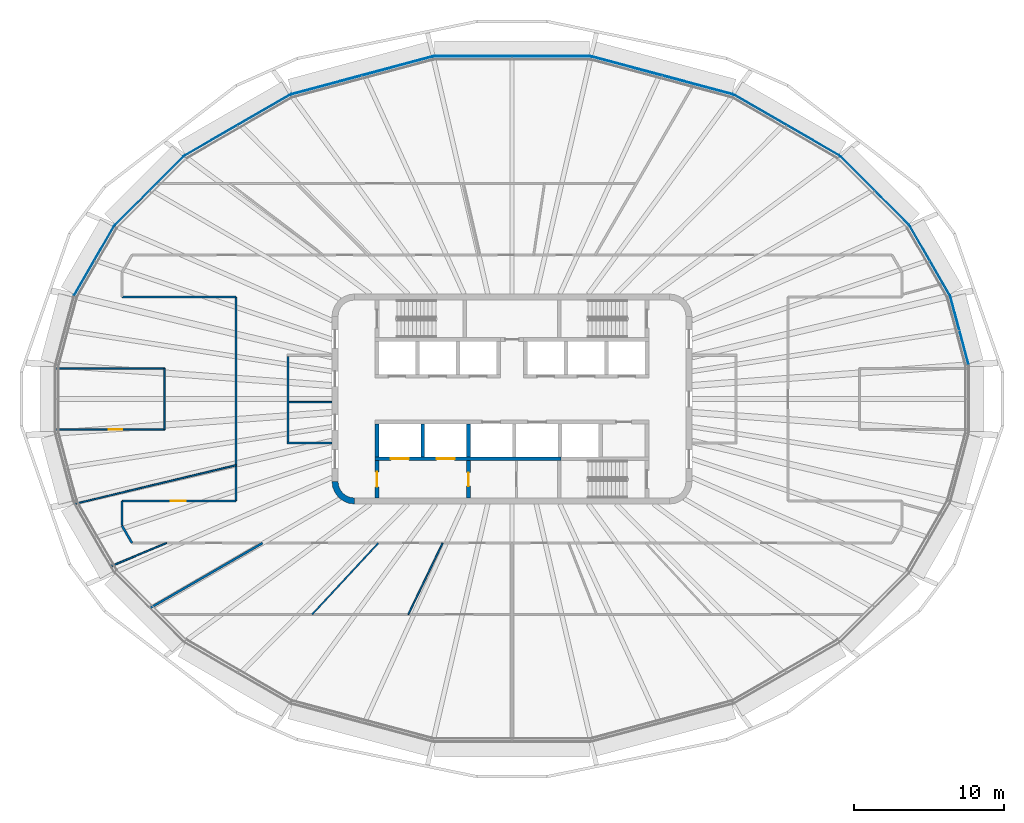
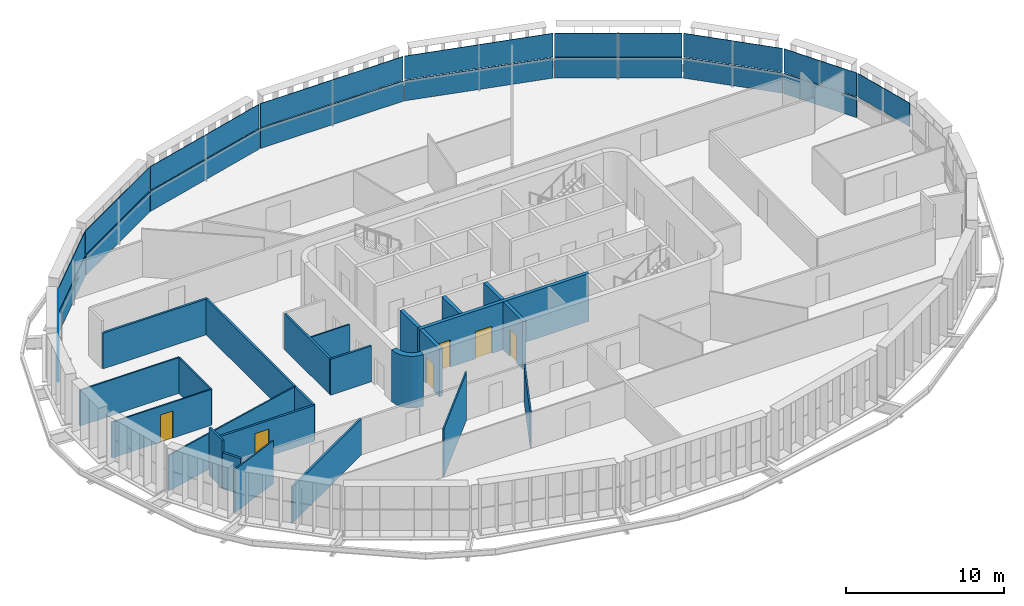
# One storey, part 10 of 20: 23 walls, 19 plates, 6 doors, 6 openings, 10 elements without a shape of their own.
"""IFC4 building model written with IfcOpenShell, lengths in metres."""

from ifc_helpers import new_model, si_unit, direction, frame, frame_2d, origin, place, context, subcontext, project, spatial, polyline, rectangle, outline, extrude, material, layer, layer_set, type_object, element, fill, aggregate, save


model = new_model("IFC4")

# Units and contexts
model_context = context("Model", 3, precision=1e-05, world=origin(), true_north=direction((0.0, 1.0)))
body_context = subcontext(model_context, "Body", "Model", "MODEL_VIEW")
ifc_project = project(units=[si_unit("LENGTHUNIT", "METRE"), si_unit("AREAUNIT", "SQUARE_METRE"), si_unit("VOLUMEUNIT", "CUBIC_METRE"), si_unit("PLANEANGLEUNIT", "RADIAN"), si_unit("MASSUNIT", "GRAM", prefix="KILO")], contexts=[model_context])

# Site, building, storey
site_placement = place(None, origin())
site = spatial("IfcSite", under=ifc_project, at=site_placement, CompositionType="ELEMENT")
building_placement = place(site_placement, origin())
building = spatial("IfcBuilding", under=site, at=building_placement, Name="Sahrelin Media Tower", CompositionType="ELEMENT")
storey_placement = place(building_placement, frame((0.0, 0.0, 245.60009765625)))
storey = spatial("IfcBuildingStorey", under=building, at=storey_placement, Name="L53", CompositionType="ELEMENT", Elevation=245.60009765625)

# Curtain wall, plate
ifc_material_1 = material(Name="Champagne anodised aluminium 6063-T6", Category="aluminium")
ifc_layer_1 = layer(ifc_material_1, 0.14990234375)
ifc_layer_set_1 = layer_set([ifc_layer_1], Name="Tower ribbon curtain wall")
curtain_wall_type = type_object("IfcCurtainWallType", Name="Tower ribbon curtain wall", PredefinedType="NOTDEFINED", material=ifc_layer_set_1)
curtain_wall_1_placement = place(storey_placement, frame((29.834228515625, 4.572265625, 0.0), z_axis=(0.0, 0.0, 1.0), x_axis=(1.0, 0.0, 0.0)))
curtain_wall_1 = element("IfcCurtainWall", 1, at=curtain_wall_1_placement, inside=storey, type_object=curtain_wall_type, Name="L53:CW:L53-01", PredefinedType="NOTDEFINED")
ifc_material_2 = material(Name="Clear low-iron glazing", Category="glass")
ifc_layer_2 = layer(ifc_material_2, 0.0439453125)
ifc_layer_set_2 = layer_set([ifc_layer_2], Name="Glazing panel 44 mm CW1B")
plate_type_1 = type_object("IfcPlateType", Name="Glazing panel 44 mm CW1B", PredefinedType="CURTAIN_PANEL", material=ifc_layer_set_2)
plate_1_placement = place(storey_placement, frame((30.456298828125, 2.327880859375, 1.6298828125), z_axis=(0.965935885882, 0.258781499273, 0.0), x_axis=(-0.258781499273, 0.965935885882, 0.0)))
plate_1 = element("IfcPlate", 2, at=plate_1_placement, type_object=plate_type_1, Name="L53:CWP2:L53-01", PredefinedType="CURTAIN_PANEL", context=body_context, shape_type="SweptSolid", body=[
    extrude(outline(polyline([(0.0, 0.0), (4.65771484375, 0.0), (4.65771484375, 1.818603515625), (0.0, 1.818603515625), (0.0, 0.0)])), origin(), (0.0, 0.0, -1.0), 0.0439453125),
])
aggregate(curtain_wall_1, [plate_1])

curtain_wall_2_placement = place(storey_placement, frame((27.865234375, 9.214111328125, 0.0), z_axis=(0.0, 0.0, 1.0), x_axis=(1.0, 0.0, 0.0)))
curtain_wall_2 = element("IfcCurtainWall", 3, at=curtain_wall_2_placement, inside=storey, type_object=curtain_wall_type, Name="L53:CW:L53-02", PredefinedType="NOTDEFINED")
plate_2_placement = place(storey_placement, frame((29.2109375, 6.923095703125, 1.6298828125), z_axis=(0.866034858292, 0.499983623955, 0.0), x_axis=(-0.499983623955, 0.866034858292, 0.0)))
plate_2 = element("IfcPlate", 4, at=plate_2_placement, type_object=plate_type_1, Name="L53:CWP2:L53-02", PredefinedType="CURTAIN_PANEL", context=body_context, shape_type="SweptSolid", body=[
    extrude(outline(polyline([(0.0, 0.0), (5.313720703125, 0.0), (5.313720703125, 1.818603515625), (0.0, 1.818603515625), (0.0, 0.0)])), origin(), (0.0, 0.0, -1.0), 0.0439453125),
])

curtain_wall_3_placement = place(storey_placement, frame((24.1865234375, 13.88330078125, 0.0), z_axis=(0.0, 0.0, 1.0), x_axis=(1.0, 0.0, 0.0)))
curtain_wall_3 = element("IfcCurtainWall", 5, at=curtain_wall_3_placement, inside=storey, type_object=curtain_wall_type, Name="L53:CW:L53-03", PredefinedType="NOTDEFINED")
plate_3_placement = place(storey_placement, frame((26.49072265625, 11.607666015625, 1.6298828125), z_axis=(0.707087934304, 0.707125627567, 0.0), x_axis=(-0.707125627567, 0.707087934304, 0.0)))
plate_3 = element("IfcPlate", 6, at=plate_3_placement, type_object=plate_type_1, Name="L53:CWP2:L53-03", PredefinedType="CURTAIN_PANEL", context=body_context, shape_type="SweptSolid", body=[
    extrude(outline(polyline([(0.0, 0.0), (6.47705078125, 0.0), (6.47705078125, 1.818603515625), (0.0, 1.818603515625), (0.0, 0.0)])), origin(), (0.0, 0.0, -1.0), 0.0439453125),
])

curtain_wall_4_placement = place(storey_placement, frame((18.3115234375, 18.25830078125, 0.0), z_axis=(0.0, 0.0, 1.0), x_axis=(1.0, 0.0, 0.0)))
curtain_wall_4 = element("IfcCurtainWall", 7, at=curtain_wall_4_placement, inside=storey, type_object=curtain_wall_type, Name="L53:CW:L53-04", PredefinedType="NOTDEFINED")
plate_4_placement = place(storey_placement, frame((21.827880859375, 16.251220703125, 1.6298828125), z_axis=(0.499981703231, 0.866035967171, 0.0), x_axis=(-0.866035967171, 0.499981703231, 0.0)))
plate_4 = element("IfcPlate", 8, at=plate_4_placement, type_object=plate_type_1, Name="L53:CWP2:L53-04", PredefinedType="CURTAIN_PANEL", context=body_context, shape_type="SweptSolid", body=[
    extrude(outline(polyline([(0.0, 0.0), (8.097412109375, 0.0), (8.097412109375, 1.818603515625), (0.0, 1.818603515625), (0.0, 0.0)])), origin(), (0.0, 0.0, -1.0), 0.0439453125),
])

curtain_wall_5_placement = place(storey_placement, frame((10.017578125, 21.57861328125, 0.0), z_axis=(0.0, 0.0, 1.0), x_axis=(1.0, 0.0, 0.0)))
curtain_wall_5 = element("IfcCurtainWall", 9, at=curtain_wall_5_placement, inside=storey, type_object=curtain_wall_type, Name="L53:CW:L53-05", PredefinedType="NOTDEFINED")
plate_5_placement = place(storey_placement, frame((14.718994140625, 20.33984375, 1.6298828125), z_axis=(0.25881891783, 0.965925860392, 0.0), x_axis=(-0.965925860392, 0.25881891783, 0.0)))
plate_5 = element("IfcPlate", 10, at=plate_5_placement, type_object=plate_type_1, Name="L53:CWP2:L53-05", PredefinedType="CURTAIN_PANEL", context=body_context, shape_type="SweptSolid", body=[
    extrude(outline(polyline([(0.0, 0.0), (9.723388671875, 0.0), (9.723388671875, 1.818603515625), (0.0, 1.818603515625), (0.0, 0.0)])), origin(), (0.0, 0.0, -1.0), 0.0439453125),
])

curtain_wall_6_placement = place(storey_placement, frame((0.0, 22.85009765625, 0.0), z_axis=(0.0, 0.0, 1.0), x_axis=(1.0, 0.0, 0.0)))
curtain_wall_6 = element("IfcCurtainWall", 11, at=curtain_wall_6_placement, inside=storey, type_object=curtain_wall_type, Name="L53:CW:L53-06", PredefinedType="NOTDEFINED")
plate_6_placement = place(storey_placement, frame((5.223388671875, 22.8701171875, 1.6298828125), z_axis=(0.0, 1.0, 0.0), x_axis=(-1.0, 0.0, 0.0)))
plate_6 = element("IfcPlate", 12, at=plate_6_placement, type_object=plate_type_1, Name="L53:CWP2:L53-06", PredefinedType="CURTAIN_PANEL", context=body_context, shape_type="SweptSolid", body=[
    extrude(outline(polyline([(0.0, 0.0), (10.44677734375, 0.0), (10.44677734375, 1.818603515625), (0.0, 1.818603515625), (0.0, 0.0)])), origin(), (0.0, 0.0, -1.0), 0.0439453125),
])

curtain_wall_7_placement = place(storey_placement, frame((-10.017578125, 21.578857421875, 0.0), z_axis=(0.0, 0.0, 1.0), x_axis=(1.0, 0.0, 0.0)))
curtain_wall_7 = element("IfcCurtainWall", 13, at=curtain_wall_7_placement, inside=storey, type_object=curtain_wall_type, Name="L53:CW:L53-07", PredefinedType="NOTDEFINED")
plate_7_placement = place(storey_placement, frame((-5.326904296875, 22.8564453125, 1.6298828125), z_axis=(-0.25881891783, 0.965925860392, 0.0), x_axis=(-0.965925860392, -0.25881891783, 0.0)))
plate_7 = element("IfcPlate", 14, at=plate_7_placement, type_object=plate_type_1, Name="L53:CWP2:L53-07", PredefinedType="CURTAIN_PANEL", context=body_context, shape_type="SweptSolid", body=[
    extrude(outline(polyline([(0.0, 0.0), (9.723388671875, 0.0), (9.723388671875, 1.818603515625), (0.0, 1.818603515625), (0.0, 0.0)])), origin(), (0.0, 0.0, -1.0), 0.0439453125),
])

curtain_wall_8_placement = place(storey_placement, frame((-18.3115234375, 18.258056640625, 0.0), z_axis=(0.0, 0.0, 1.0), x_axis=(1.0, 0.0, 0.0)))
curtain_wall_8 = element("IfcCurtainWall", 15, at=curtain_wall_8_placement, inside=storey, type_object=curtain_wall_type, Name="L53:CW:L53-08", PredefinedType="NOTDEFINED")
plate_8_placement = place(storey_placement, frame((-14.815185546875, 20.2998046875, 1.6298828125), z_axis=(-0.499981703231, 0.866035967171, 0.0), x_axis=(-0.866035967171, -0.499981703231, 0.0)))
plate_8 = element("IfcPlate", 16, at=plate_8_placement, type_object=plate_type_1, Name="L53:CWP2:L53-08", PredefinedType="CURTAIN_PANEL", context=body_context, shape_type="SweptSolid", body=[
    extrude(outline(polyline([(0.0, 0.0), (8.097412109375, 0.0), (8.097412109375, 1.818603515625), (0.0, 1.818603515625), (0.0, 0.0)])), origin(), (0.0, 0.0, -1.0), 0.0439453125),
])

curtain_wall_9_placement = place(storey_placement, frame((-24.1865234375, 13.883544921875, 0.0), z_axis=(0.0, 0.0, 1.0), x_axis=(1.0, 0.0, 0.0)))
curtain_wall_9 = element("IfcCurtainWall", 17, at=curtain_wall_9_placement, inside=storey, type_object=curtain_wall_type, Name="L53:CW:L53-09", PredefinedType="NOTDEFINED")
plate_9_placement = place(storey_placement, frame((-21.91064453125, 16.1875, 1.6298828125), z_axis=(-0.707087934304, 0.707125627567, 0.0), x_axis=(-0.707125627567, -0.707087934304, 0.0)))
plate_9 = element("IfcPlate", 18, at=plate_9_placement, type_object=plate_type_1, Name="L53:CWP2:L53-09", PredefinedType="CURTAIN_PANEL", context=body_context, shape_type="SweptSolid", body=[
    extrude(outline(polyline([(0.0, 0.0), (6.47705078125, 0.0), (6.47705078125, 1.818603515625), (0.0, 1.818603515625), (0.0, 0.0)])), origin(), (0.0, 0.0, -1.0), 0.0439453125),
])

curtain_wall_10_placement = place(storey_placement, frame((-27.865234375, 9.214111328125, 0.0), z_axis=(0.0, 0.0, 1.0), x_axis=(1.0, 0.0, 0.0)))
curtain_wall_10 = element("IfcCurtainWall", 19, at=curtain_wall_10_placement, inside=storey, type_object=curtain_wall_type, Name="L53:CW:L53-10", PredefinedType="NOTDEFINED")
plate_10_placement = place(storey_placement, frame((-26.55419921875, 11.52490234375, 1.6298828125), z_axis=(-0.866034858292, 0.499983623955, 0.0), x_axis=(-0.499983623955, -0.866034858292, 0.0)))
plate_10 = element("IfcPlate", 20, at=plate_10_placement, type_object=plate_type_1, Name="L53:CWP2:L53-10", PredefinedType="CURTAIN_PANEL", context=body_context, shape_type="SweptSolid", body=[
    extrude(outline(polyline([(0.0, 0.0), (5.313720703125, 0.0), (5.313720703125, 1.818603515625), (0.0, 1.818603515625), (0.0, 0.0)])), origin(), (0.0, 0.0, -1.0), 0.0439453125),
])

# Plate
ifc_material_3 = material(Name="Insulated spandrel panel")
ifc_layer_3 = layer(ifc_material_3, 0.06005859375)
ifc_layer_set_3 = layer_set([ifc_layer_3], Name="Spandrel panel 60 mm CW1")
plate_type_2 = type_object("IfcPlateType", Name="Spandrel panel 60 mm CW1", PredefinedType="SHEET", material=ifc_layer_set_3)
plate_11_placement = place(storey_placement, frame((29.2109375, 6.923095703125, 0.0), z_axis=(0.866034858292, 0.499983623955, 0.0), x_axis=(-0.499983623955, 0.866034858292, 0.0)))
plate_11 = element("IfcPlate", 21, at=plate_11_placement, type_object=plate_type_2, Name="L53:CWP1:L53-02", PredefinedType="SHEET", context=body_context, shape_type="SweptSolid", body=[
    extrude(outline(polyline([(0.0, 0.0), (5.313720703125, 0.0), (5.313720703125, 1.56982421875), (0.0, 1.56982421875), (0.0, 0.0)])), origin(), (0.0, 0.0, -1.0), 0.06005859375),
])

aggregate(curtain_wall_2, [plate_11, plate_2])

plate_12_placement = place(storey_placement, frame((26.49072265625, 11.607666015625, 0.0), z_axis=(0.707087934304, 0.707125627567, 0.0), x_axis=(-0.707125627567, 0.707087934304, 0.0)))
plate_12 = element("IfcPlate", 22, at=plate_12_placement, type_object=plate_type_2, Name="L53:CWP1:L53-03", PredefinedType="SHEET", context=body_context, shape_type="SweptSolid", body=[
    extrude(outline(polyline([(0.0, 0.0), (6.47705078125, 0.0), (6.47705078125, 1.56982421875), (0.0, 1.56982421875), (0.0, 0.0)])), origin(), (0.0, 0.0, -1.0), 0.06005859375),
])

aggregate(curtain_wall_3, [plate_12, plate_3])

plate_13_placement = place(storey_placement, frame((21.827880859375, 16.251220703125, 0.0), z_axis=(0.499981703231, 0.866035967171, 0.0), x_axis=(-0.866035967171, 0.499981703231, 0.0)))
plate_13 = element("IfcPlate", 23, at=plate_13_placement, type_object=plate_type_2, Name="L53:CWP1:L53-04", PredefinedType="SHEET", context=body_context, shape_type="SweptSolid", body=[
    extrude(outline(polyline([(0.0, 0.0), (8.097412109375, 0.0), (8.097412109375, 1.56982421875), (0.0, 1.56982421875), (0.0, 0.0)])), origin(), (0.0, 0.0, -1.0), 0.06005859375),
])

aggregate(curtain_wall_4, [plate_13, plate_4])

plate_14_placement = place(storey_placement, frame((14.718994140625, 20.33984375, 0.0), z_axis=(0.25881891783, 0.965925860392, 0.0), x_axis=(-0.965925860392, 0.25881891783, 0.0)))
plate_14 = element("IfcPlate", 24, at=plate_14_placement, type_object=plate_type_2, Name="L53:CWP1:L53-05", PredefinedType="SHEET", context=body_context, shape_type="SweptSolid", body=[
    extrude(outline(polyline([(0.0, 0.0), (9.723388671875, 0.0), (9.723388671875, 1.56982421875), (0.0, 1.56982421875), (0.0, 0.0)])), origin(), (0.0, 0.0, -1.0), 0.06005859375),
])

aggregate(curtain_wall_5, [plate_14, plate_5])

plate_15_placement = place(storey_placement, frame((5.223388671875, 22.8701171875, 0.0), z_axis=(0.0, 1.0, 0.0), x_axis=(-1.0, 0.0, 0.0)))
plate_15 = element("IfcPlate", 25, at=plate_15_placement, type_object=plate_type_2, Name="L53:CWP1:L53-06", PredefinedType="SHEET", context=body_context, shape_type="SweptSolid", body=[
    extrude(outline(polyline([(0.0, 0.0), (10.44677734375, 0.0), (10.44677734375, 1.56982421875), (0.0, 1.56982421875), (0.0, 0.0)])), origin(), (0.0, 0.0, -1.0), 0.06005859375),
])

aggregate(curtain_wall_6, [plate_15, plate_6])

plate_16_placement = place(storey_placement, frame((-5.326904296875, 22.8564453125, 0.0), z_axis=(-0.25881891783, 0.965925860392, 0.0), x_axis=(-0.965925860392, -0.25881891783, 0.0)))
plate_16 = element("IfcPlate", 26, at=plate_16_placement, type_object=plate_type_2, Name="L53:CWP1:L53-07", PredefinedType="SHEET", context=body_context, shape_type="SweptSolid", body=[
    extrude(outline(polyline([(0.0, 0.0), (9.723388671875, 0.0), (9.723388671875, 1.56982421875), (0.0, 1.56982421875), (0.0, 0.0)])), origin(), (0.0, 0.0, -1.0), 0.06005859375),
])

aggregate(curtain_wall_7, [plate_16, plate_7])

plate_17_placement = place(storey_placement, frame((-14.815185546875, 20.2998046875, 0.0), z_axis=(-0.499981703231, 0.866035967171, 0.0), x_axis=(-0.866035967171, -0.499981703231, 0.0)))
plate_17 = element("IfcPlate", 27, at=plate_17_placement, type_object=plate_type_2, Name="L53:CWP1:L53-08", PredefinedType="SHEET", context=body_context, shape_type="SweptSolid", body=[
    extrude(outline(polyline([(0.0, 0.0), (8.097412109375, 0.0), (8.097412109375, 1.56982421875), (0.0, 1.56982421875), (0.0, 0.0)])), origin(), (0.0, 0.0, -1.0), 0.06005859375),
])

aggregate(curtain_wall_8, [plate_17, plate_8])

plate_18_placement = place(storey_placement, frame((-21.91064453125, 16.1875, 0.0), z_axis=(-0.707087934304, 0.707125627567, 0.0), x_axis=(-0.707125627567, -0.707087934304, 0.0)))
plate_18 = element("IfcPlate", 28, at=plate_18_placement, type_object=plate_type_2, Name="L53:CWP1:L53-09", PredefinedType="SHEET", context=body_context, shape_type="SweptSolid", body=[
    extrude(outline(polyline([(0.0, 0.0), (6.47705078125, 0.0), (6.47705078125, 1.56982421875), (0.0, 1.56982421875), (0.0, 0.0)])), origin(), (0.0, 0.0, -1.0), 0.06005859375),
])

aggregate(curtain_wall_9, [plate_18, plate_9])

plate_19_placement = place(storey_placement, frame((-26.55419921875, 11.52490234375, 0.0), z_axis=(-0.866034858292, 0.499983623955, 0.0), x_axis=(-0.499983623955, -0.866034858292, 0.0)))
plate_19 = element("IfcPlate", 29, at=plate_19_placement, type_object=plate_type_2, Name="L53:CWP1:L53-10", PredefinedType="SHEET", context=body_context, shape_type="SweptSolid", body=[
    extrude(outline(polyline([(0.0, 0.0), (5.313720703125, 0.0), (5.313720703125, 1.56982421875), (0.0, 1.56982421875), (0.0, 0.0)])), origin(), (0.0, 0.0, -1.0), 0.06005859375),
])

aggregate(curtain_wall_10, [plate_19, plate_10])

# Walls
ifc_material_4 = material(Name="Concrete C60/75", Category="concrete")
ifc_layer_4 = layer(ifc_material_4, 0.39990234375)
ifc_layer_set_4 = layer_set([ifc_layer_4], Name="Core wall 400")
wall_type_1 = type_object("IfcWallType", Name="Core wall 400", PredefinedType="SHEAR", material=ifc_layer_set_4)
wall_1_placement = place(storey_placement, origin())
element("IfcWall", 30, at=wall_1_placement, inside=storey, type_object=wall_type_1, Name="Core wall corner SW L53", PredefinedType="SHEAR", context=body_context, shape_type="SweptSolid", body=[
    extrude(outline(polyline([(-10.5, -7.0), (-10.5, -6.596435546875), (-10.78369140625, -6.55908203125), (-11.04833984375, -6.44970703125), (-11.275390625, -6.275390625), (-11.44970703125, -6.04833984375), (-11.55908203125, -5.78369140625), (-11.596435546875, -5.5), (-12.0, -5.5), (-11.948974609375, -5.88818359375), (-11.799072265625, -6.25), (-11.560791015625, -6.560791015625), (-11.25, -6.799072265625), (-10.88818359375, -6.948974609375), (-10.5, -7.0)])), origin(), (0.0, 0.0, 1.0), 4.0),
])
ifc_material_5 = material(Name="Fire-rated gypsum board partition")
ifc_layer_5 = layer(ifc_material_5, 0.10009765625)
ifc_layer_set_5 = layer_set([ifc_layer_5], Name="Fire-rated partition 100")
wall_type_2 = type_object("IfcWallType", Name="Fire-rated partition 100", PredefinedType="PARTITIONING", material=ifc_layer_set_5)
wall_2_placement = place(storey_placement, frame((-14.85009765625, -0.199951171875, 0.0), z_axis=(0.0, 0.0, 1.0), x_axis=(1.0, 0.0, 0.0)))
element("IfcWall", 31, at=wall_2_placement, inside=storey, type_object=wall_type_2, Name="Core room partition", PredefinedType="PARTITIONING", context=body_context, shape_type="SweptSolid", body=[
    extrude(rectangle(XDim=2.85009765625, YDim=0.10009765625, at=frame_2d((1.425048828125, 0.0))), origin(), (0.0, 0.0, 1.0), 2.76806640625),
])
ifc_layer_6 = layer(ifc_material_5, 0.14990234375)
ifc_layer_set_6 = layer_set([ifc_layer_6], Name="Fire-rated partition 150")
wall_type_3 = type_object("IfcWallType", Name="Fire-rated partition 150", PredefinedType="PARTITIONING", material=ifc_layer_set_6)
wall_3_placement = place(storey_placement, frame((-14.925048828125, -2.85009765625, 0.0), z_axis=(0.0, 0.0, 1.0), x_axis=(0.0, 1.0, 0.0)))
element("IfcWall", 32, at=wall_3_placement, inside=storey, type_object=wall_type_3, Name="Core room fire partition", PredefinedType="PARTITIONING", context=body_context, shape_type="SweptSolid", body=[
    extrude(rectangle(XDim=5.7001953125, YDim=0.14990234375, at=frame_2d((2.85009765625, 0.0))), origin(), (0.0, 0.0, 1.0), 2.76806640625),
])
wall_4_placement = place(storey_placement, frame((-15.0, -2.925048828125, 0.0), z_axis=(0.0, 0.0, 1.0), x_axis=(1.0, 0.0, 0.0)))
element("IfcWall", 33, at=wall_4_placement, inside=storey, type_object=wall_type_3, Name="Core room fire partition", PredefinedType="PARTITIONING", context=body_context, shape_type="SweptSolid", body=[
    extrude(rectangle(XDim=3.0, YDim=0.14990234375, at=frame_2d((1.5, 0.0))), origin(), (0.0, 0.0, 1.0), 2.76806640625),
])
wall_5_placement = place(storey_placement, frame((-26.0, -8.445068359375, 0.0), z_axis=(0.0, 0.0, 1.0), x_axis=(0.500076310463, -0.865981341435, 0.0)))
element("IfcWall", 34, at=wall_5_placement, inside=storey, type_object=wall_type_3, Name="Wall", PredefinedType="PARTITIONING", context=body_context, shape_type="SweptSolid", body=[
    extrude(rectangle(XDim=1.333740234375, YDim=0.14990234375, at=frame_2d((0.6669921875, 0.0))), origin(), (0.0, 0.0, 1.0), 2.76806640625),
])

# Wall, opening, door
wall_6_placement = place(storey_placement, frame((-26.0, -6.800048828125, 0.0), z_axis=(0.0, 0.0, 1.0), x_axis=(1.0, 0.0, 0.0)))
wall_6 = element("IfcWall", 35, at=wall_6_placement, inside=storey, type_object=wall_type_3, Name="Wall", PredefinedType="PARTITIONING", context=body_context, shape_type="SweptSolid", body=[
    extrude(rectangle(XDim=7.60009765625, YDim=0.14990234375, at=frame_2d((3.800048828125, 0.0))), origin(), (0.0, 0.0, 1.0), 2.76806640625),
])
opening_1_placement = place(wall_6_placement, frame((3.2490234375, 0.0, 0.0)))
opening_1 = element("IfcOpeningElement", 36, at=opening_1_placement, cuts=wall_6, Name="Opening L53-D25", PredefinedType="OPENING", context=body_context, shape_type="SweptSolid", body=[
    extrude(rectangle(XDim=1.0, YDim=2.10009765625, at=frame_2d((0.5, 1.050048828125))), frame((0.0, 0.074951171875, 0.0), z_axis=(0.0, -1.0, 0.0), x_axis=(1.0, 0.0, 0.0)), (0.0, 0.0, 1.0), 0.14990234375),
])
ifc_material_6 = material(Name="Steel fire door leaf", Category="steel")
door_type_1 = type_object("IfcDoorType", Name="Fire door 1000 x 2100 EI 60", OperationType="NOTDEFINED", PredefinedType="DOOR", material=ifc_material_6)
door_1_placement = place(opening_1_placement, origin())
door_1 = element("IfcDoor", 37, at=door_1_placement, inside=storey, type_object=door_type_1, Name="Fire door", OperationType="SINGLE_SWING_LEFT", OverallHeight=2.10009765625, OverallWidth=1.0, PredefinedType="DOOR", context=body_context, shape_type="SweptSolid", body=[
    extrude(rectangle(XDim=1.0, YDim=2.10009765625, at=frame_2d((0.5, 1.050048828125))), frame((0.0, 0.02490234375, 0.0), z_axis=(0.0, -1.0, 0.0), x_axis=(1.0, 0.0, 0.0)), (0.0, 0.0, 1.0), 0.050048828125),
])
fill(opening_1, door_1)

# Walls
wall_7_placement = place(storey_placement, frame((-26.0, 6.800048828125, 0.0), z_axis=(0.0, 0.0, 1.0), x_axis=(1.0, 0.0, 0.0)))
element("IfcWall", 38, at=wall_7_placement, inside=storey, type_object=wall_type_3, Name="Wall", PredefinedType="PARTITIONING", context=body_context, shape_type="SweptSolid", body=[
    extrude(rectangle(XDim=7.60009765625, YDim=0.14990234375, at=frame_2d((3.800048828125, 0.0))), origin(), (0.0, 0.0, 1.0), 2.76806640625),
])
wall_8_placement = place(storey_placement, frame((-24.135009765625, -13.93505859375, 0.0), z_axis=(0.0, 0.0, 1.0), x_axis=(0.866016292776, 0.500015780397, 0.0)))
element("IfcWall", 39, at=wall_8_placement, inside=storey, type_object=wall_type_3, Name="Wall", PredefinedType="PARTITIONING", context=body_context, shape_type="SweptSolid", body=[
    extrude(rectangle(XDim=8.669677734375, YDim=0.14990234375, at=frame_2d((4.3349609375, 0.0))), origin(), (0.0, 0.0, 1.0), 2.77685546875),
])
wall_9_placement = place(storey_placement, frame((-18.39990234375, -6.800048828125, 0.0), z_axis=(0.0, 0.0, 1.0), x_axis=(0.0, 1.0, 0.0)))
element("IfcWall", 40, at=wall_9_placement, inside=storey, type_object=wall_type_3, Name="Wall", PredefinedType="PARTITIONING", context=body_context, shape_type="SweptSolid", body=[
    extrude(rectangle(XDim=13.60009765625, YDim=0.14990234375, at=frame_2d((6.800048828125, 0.0))), origin(), (0.0, 0.0, 1.0), 2.76806640625),
])
wall_10_placement = place(storey_placement, frame((-26.0, -8.445068359375, 0.0), z_axis=(0.0, 0.0, 1.0), x_axis=(0.0, 1.0, 0.0)))
element("IfcWall", 41, at=wall_10_placement, inside=storey, type_object=wall_type_3, Name="Wall", PredefinedType="PARTITIONING", context=body_context, shape_type="SweptSolid", body=[
    extrude(rectangle(XDim=1.64501953125, YDim=0.14990234375, at=frame_2d((0.822509765625, 0.0))), origin(), (0.0, 0.0, 1.0), 3.699951171875),
])

# Wall, opening, door
ifc_layer_7 = layer(ifc_material_5, 0.25)
ifc_layer_set_7 = layer_set([ifc_layer_7], Name="Firefighting lobby wall 250")
wall_type_4 = type_object("IfcWallType", Name="Firefighting lobby wall 250", PredefinedType="PARTITIONING", material=ifc_layer_set_7)
wall_11_placement = place(storey_placement, frame((-9.0, -6.60009765625, 0.0), z_axis=(0.0, 0.0, 1.0), x_axis=(0.0, 1.0, 0.0)))
wall_11 = element("IfcWall", 42, at=wall_11_placement, inside=storey, type_object=wall_type_4, Name="Core wall", PredefinedType="PARTITIONING", context=body_context, shape_type="SweptSolid", body=[
    extrude(rectangle(XDim=2.5, YDim=0.25, at=frame_2d((1.25, 0.0))), origin(), (0.0, 0.0, 1.0), 3.699951171875),
])
opening_2_placement = place(wall_11_placement, frame((0.75, 0.0, 0.0)))
opening_2 = element("IfcOpeningElement", 43, at=opening_2_placement, cuts=wall_11, Name="Opening L53-D04", PredefinedType="OPENING", context=body_context, shape_type="SweptSolid", body=[
    extrude(rectangle(XDim=1.0, YDim=2.10009765625, at=frame_2d((0.5, 1.050048828125))), frame((0.0, 0.125, 0.0), z_axis=(0.0, -1.0, 0.0), x_axis=(1.0, 0.0, 0.0)), (0.0, 0.0, 1.0), 0.25),
])
door_type_2 = type_object("IfcDoorType", Name="Firefighting lobby door 1000 x 2100 EI 120", OperationType="NOTDEFINED", PredefinedType="DOOR", material=ifc_material_6)
door_2_placement = place(opening_2_placement, origin())
door_2 = element("IfcDoor", 44, at=door_2_placement, inside=storey, type_object=door_type_2, Name="Firefighting lobby door", OperationType="SINGLE_SWING_LEFT", OverallHeight=2.10009765625, OverallWidth=1.0, PredefinedType="DOOR", context=body_context, shape_type="SweptSolid", body=[
    extrude(rectangle(XDim=1.0, YDim=2.10009765625, at=frame_2d((0.5, 1.050048828125))), frame((0.0, 0.02490234375, 0.0), z_axis=(0.0, -1.0, 0.0), x_axis=(1.0, 0.0, 0.0)), (0.0, 0.0, 1.0), 0.050048828125),
])
fill(opening_2, door_2)

wall_12_placement = place(storey_placement, frame((-2.89990234375, -6.60009765625, 0.0), z_axis=(0.0, 0.0, 1.0), x_axis=(0.0, 1.0, 0.0)))
wall_12 = element("IfcWall", 45, at=wall_12_placement, inside=storey, type_object=wall_type_4, Name="Core wall", PredefinedType="PARTITIONING", context=body_context, shape_type="SweptSolid", body=[
    extrude(rectangle(XDim=2.5, YDim=0.25, at=frame_2d((1.25, 0.0))), origin(), (0.0, 0.0, 1.0), 3.699951171875),
])
opening_3_placement = place(wall_12_placement, frame((0.800048828125, 0.0, 0.0)))
opening_3 = element("IfcOpeningElement", 46, at=opening_3_placement, cuts=wall_12, Name="Opening L53-D05", PredefinedType="OPENING", context=body_context, shape_type="SweptSolid", body=[
    extrude(rectangle(XDim=0.89990234375, YDim=2.10009765625, at=frame_2d((0.449951171875, 1.050048828125))), frame((0.0, 0.125, 0.0), z_axis=(0.0, -1.0, 0.0), x_axis=(1.0, 0.0, 0.0)), (0.0, 0.0, 1.0), 0.25),
])
door_type_3 = type_object("IfcDoorType", Name="Firefighting lobby door 900 x 2100 EI 120", OperationType="NOTDEFINED", PredefinedType="DOOR", material=ifc_material_6)
door_3_placement = place(opening_3_placement, origin())
door_3 = element("IfcDoor", 47, at=door_3_placement, inside=storey, type_object=door_type_3, Name="Riser door", OperationType="SINGLE_SWING_RIGHT", OverallHeight=2.10009765625, OverallWidth=0.89990234375, PredefinedType="DOOR", context=body_context, shape_type="SweptSolid", body=[
    extrude(rectangle(XDim=0.89990234375, YDim=2.10009765625, at=frame_2d((0.449951171875, 1.050048828125))), frame((0.0, 0.02490234375, 0.0), z_axis=(0.0, -1.0, 0.0), x_axis=(1.0, 0.0, 0.0)), (0.0, 0.0, 1.0), 0.050048828125),
])
fill(opening_3, door_3)

# Wall, openings, doors
ifc_layer_8 = layer(ifc_material_4, 0.25)
ifc_layer_set_8 = layer_set([ifc_layer_8], Name="Lift shaft wall 250")
wall_type_5 = type_object("IfcWallType", Name="Lift shaft wall 250", PredefinedType="SOLIDWALL", material=ifc_layer_set_8)
wall_13_placement = place(storey_placement, frame((-9.125, -3.97509765625, 0.0), z_axis=(0.0, 0.0, 1.0), x_axis=(1.0, 0.0, 0.0)))
wall_13 = element("IfcWall", 48, at=wall_13_placement, inside=storey, type_object=wall_type_5, Name="Lift shaft wall", PredefinedType="SOLIDWALL", context=body_context, shape_type="SweptSolid", body=[
    extrude(rectangle(XDim=12.39990234375, YDim=0.25, at=frame_2d((6.199951171875, 0.0))), origin(), (0.0, 0.0, 1.0), 3.699951171875),
])
opening_4_placement = place(wall_13_placement, frame((1.050048828125, 0.0, 0.0)))
opening_4 = element("IfcOpeningElement", 49, at=opening_4_placement, cuts=wall_13, Name="Opening L53-LD-FF1", PredefinedType="OPENING", context=body_context, shape_type="SweptSolid", body=[
    extrude(rectangle(XDim=1.199951171875, YDim=2.10009765625, at=frame_2d((0.60009765625, 1.050048828125))), frame((0.0, 0.125, 0.0), z_axis=(0.0, -1.0, 0.0), x_axis=(1.0, 0.0, 0.0)), (0.0, 0.0, 1.0), 0.25),
])
opening_5_placement = place(wall_13_placement, frame((4.10009765625, 0.0, 0.0)))
opening_5 = element("IfcOpeningElement", 50, at=opening_5_placement, cuts=wall_13, Name="Opening L53-LD-FF2", PredefinedType="OPENING", context=body_context, shape_type="SweptSolid", body=[
    extrude(rectangle(XDim=1.199951171875, YDim=2.10009765625, at=frame_2d((0.60009765625, 1.050048828125))), frame((0.0, 0.125, 0.0), z_axis=(0.0, -1.0, 0.0), x_axis=(1.0, 0.0, 0.0)), (0.0, 0.0, 1.0), 0.25),
])
ifc_material_7 = material(Name="Stainless steel", Category="steel")
door_type_4 = type_object("IfcDoorType", Name="Lift landing door 1200 x 2100 EI 120", OperationType="DOUBLE_DOOR_SLIDING", PredefinedType="DOOR", material=ifc_material_7)
door_4_placement = place(opening_4_placement, origin())
door_4 = element("IfcDoor", 51, at=door_4_placement, inside=storey, type_object=door_type_4, Name="Lift landing door FF1", OperationType="DOUBLE_DOOR_SLIDING", OverallHeight=2.10009765625, OverallWidth=1.199951171875, PredefinedType="DOOR", context=body_context, shape_type="SweptSolid", body=[
    extrude(rectangle(XDim=1.199951171875, YDim=2.10009765625, at=frame_2d((0.60009765625, 1.050048828125))), frame((0.0, 0.02490234375, 0.0), z_axis=(0.0, -1.0, 0.0), x_axis=(1.0, 0.0, 0.0)), (0.0, 0.0, 1.0), 0.050048828125),
])
fill(opening_4, door_4)
door_5_placement = place(opening_5_placement, origin())
door_5 = element("IfcDoor", 52, at=door_5_placement, inside=storey, type_object=door_type_4, Name="Lift landing door FF2", OperationType="DOUBLE_DOOR_SLIDING", OverallHeight=2.10009765625, OverallWidth=1.199951171875, PredefinedType="DOOR", context=body_context, shape_type="SweptSolid", body=[
    extrude(rectangle(XDim=1.199951171875, YDim=2.10009765625, at=frame_2d((0.60009765625, 1.050048828125))), frame((0.0, 0.02490234375, 0.0), z_axis=(0.0, -1.0, 0.0), x_axis=(1.0, 0.0, 0.0)), (0.0, 0.0, 1.0), 0.050048828125),
])
fill(opening_5, door_5)

# Walls
for number, where, z_axis, x_axis, name in (
    (53, (-9.0, -3.85009765625, 0.0), (0.0, 0.0, 1.0), (0.0, 1.0, 0.0), "Lift shaft wall"),
    (54, (-5.949951171875, -3.85009765625, 0.0), (0.0, 0.0, 1.0), (0.0, 1.0, 0.0), "Lift shaft wall"),
    (55, (-2.89990234375, -3.85009765625, 0.0), (0.0, 0.0, 1.0), (0.0, 1.0, 0.0), "Lift shaft wall"),
):
    element("IfcWall", number, at=place(storey_placement, frame(where, z_axis=z_axis, x_axis=x_axis)), inside=storey, type_object=wall_type_5, Name=name, PredefinedType="SOLIDWALL", context=body_context, shape_type="SweptSolid", body=[
        extrude(rectangle(XDim=2.2001953125, YDim=0.25, at=frame_2d((1.10009765625, 0.0))), origin(), (0.0, 0.0, 1.0), 3.699951171875),
    ])

# Wall, opening, door
ifc_material_8 = material(Name="Gypsum board partition")
ifc_layer_9 = layer(ifc_material_8, 0.10009765625)
ifc_layer_set_9 = layer_set([ifc_layer_9], Name="Partition 100")
wall_type_6 = type_object("IfcWallType", Name="Partition 100", PredefinedType="PARTITIONING", material=ifc_layer_set_9)
wall_14_placement = place(storey_placement, frame((-30.449951171875, -2.0400390625, 0.0), z_axis=(0.0, 0.0, 1.0), x_axis=(1.0, 0.0, 0.0)))
wall_14 = element("IfcWall", 56, at=wall_14_placement, inside=storey, type_object=wall_type_6, Name="Wall", PredefinedType="PARTITIONING", context=body_context, shape_type="SweptSolid", body=[
    extrude(rectangle(XDim=7.2900390625, YDim=0.10009765625, at=frame_2d((3.64501953125, 0.0))), origin(), (0.0, 0.0, 1.0), 2.76806640625),
])
opening_6_placement = place(wall_14_placement, frame((3.55126953125, 0.0, 0.0)))
opening_6 = element("IfcOpeningElement", 57, at=opening_6_placement, cuts=wall_14, Name="Opening L53-D27", PredefinedType="OPENING", context=body_context, shape_type="SweptSolid", body=[
    extrude(rectangle(XDim=0.89990234375, YDim=2.10009765625, at=frame_2d((0.449951171875, 1.050048828125))), frame((0.0, 0.050048828125, 0.0), z_axis=(0.0, -1.0, 0.0), x_axis=(1.0, 0.0, 0.0)), (0.0, 0.0, 1.0), 0.10009765625),
])
ifc_material_9 = material(Name="Timber door leaf", Category="wood")
door_type_5 = type_object("IfcDoorType", Name="Single door 900 x 2100", OperationType="NOTDEFINED", PredefinedType="DOOR", material=ifc_material_9)
door_6_placement = place(opening_6_placement, origin())
door_6 = element("IfcDoor", 58, at=door_6_placement, inside=storey, type_object=door_type_5, Name="Single door", OperationType="SINGLE_SWING_LEFT", OverallHeight=2.10009765625, OverallWidth=0.89990234375, PredefinedType="DOOR", context=body_context, shape_type="SweptSolid", body=[
    extrude(rectangle(XDim=0.89990234375, YDim=2.10009765625, at=frame_2d((0.449951171875, 1.050048828125))), frame((0.0, 0.02490234375, 0.0), z_axis=(0.0, -1.0, 0.0), x_axis=(1.0, 0.0, 0.0)), (0.0, 0.0, 1.0), 0.050048828125),
])
fill(opening_6, door_6)

# Walls
wall_15_placement = place(storey_placement, frame((-30.449951171875, 2.0400390625, 0.0), z_axis=(0.0, 0.0, 1.0), x_axis=(1.0, 0.0, 0.0)))
element("IfcWall", 59, at=wall_15_placement, inside=storey, type_object=wall_type_6, Name="Wall", PredefinedType="PARTITIONING", context=body_context, shape_type="SweptSolid", body=[
    extrude(rectangle(XDim=7.2900390625, YDim=0.10009765625, at=frame_2d((3.64501953125, 0.0))), origin(), (0.0, 0.0, 1.0), 2.76806640625),
])
wall_16_placement = place(storey_placement, frame((-29.14892578125, -6.990966796875, 0.0), z_axis=(0.0, 0.0, 1.0), x_axis=(0.97242598182, 0.233211727583, 0.0)))
element("IfcWall", 60, at=wall_16_placement, inside=storey, type_object=wall_type_6, Name="Wall", PredefinedType="PARTITIONING", context=body_context, shape_type="SweptSolid", body=[
    extrude(rectangle(XDim=11.0537109375, YDim=0.10009765625, at=frame_2d((5.52685546875, 0.0))), origin(), (0.0, 0.0, 1.0), 2.76806640625),
])
wall_17_placement = place(storey_placement, frame((-26.7470703125, -11.152099609375, 0.0), z_axis=(0.0, 0.0, 1.0), x_axis=(0.922980174508, 0.384847498973, 0.0)))
element("IfcWall", 61, at=wall_17_placement, inside=storey, type_object=wall_type_6, Name="Wall", PredefinedType="PARTITIONING", context=body_context, shape_type="SweptSolid", body=[
    extrude(rectangle(XDim=4.03271484375, YDim=0.10009765625, at=frame_2d((2.016357421875, 0.0))), origin(), (0.0, 0.0, 1.0), 3.324951171875),
])
wall_18_placement = place(storey_placement, frame((-13.323974609375, -14.360107421875, 0.0), z_axis=(0.0, 0.0, 1.0), x_axis=(0.680201581888, 0.733025107344, 0.0)))
element("IfcWall", 62, at=wall_18_placement, inside=storey, type_object=wall_type_6, Name="Wall", PredefinedType="PARTITIONING", context=body_context, shape_type="SweptSolid", body=[
    extrude(rectangle(XDim=6.49365234375, YDim=0.10009765625, at=frame_2d((3.246826171875, 0.0))), origin(), (0.0, 0.0, 1.0), 3.699951171875),
])
wall_19_placement = place(storey_placement, frame((-6.9150390625, -14.360107421875, 0.0), z_axis=(0.0, 0.0, 1.0), x_axis=(0.433836460285, 0.90099163466, 0.0)))
element("IfcWall", 63, at=wall_19_placement, inside=storey, type_object=wall_type_6, Name="Wall", PredefinedType="PARTITIONING", context=body_context, shape_type="SweptSolid", body=[
    extrude(rectangle(XDim=5.282958984375, YDim=0.10009765625, at=frame_2d((2.6416015625, 0.0))), origin(), (0.0, 0.0, 1.0), 2.76806640625),
])
wall_20_placement = place(storey_placement, frame((-23.159912109375, -2.0400390625, 0.0), z_axis=(0.0, 0.0, 1.0), x_axis=(0.0, 1.0, 0.0)))
element("IfcWall", 64, at=wall_20_placement, inside=storey, type_object=wall_type_6, Name="Wall", PredefinedType="PARTITIONING", context=body_context, shape_type="SweptSolid", body=[
    extrude(rectangle(XDim=4.080078125, YDim=0.10009765625, at=frame_2d((2.0400390625, 0.0))), origin(), (0.0, 0.0, 1.0), 2.76806640625),
])

save(model, "model.ifc")
